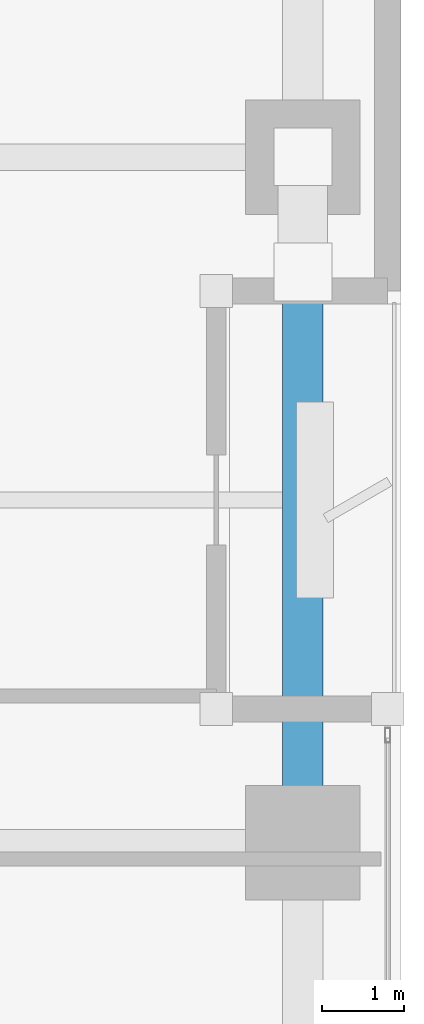
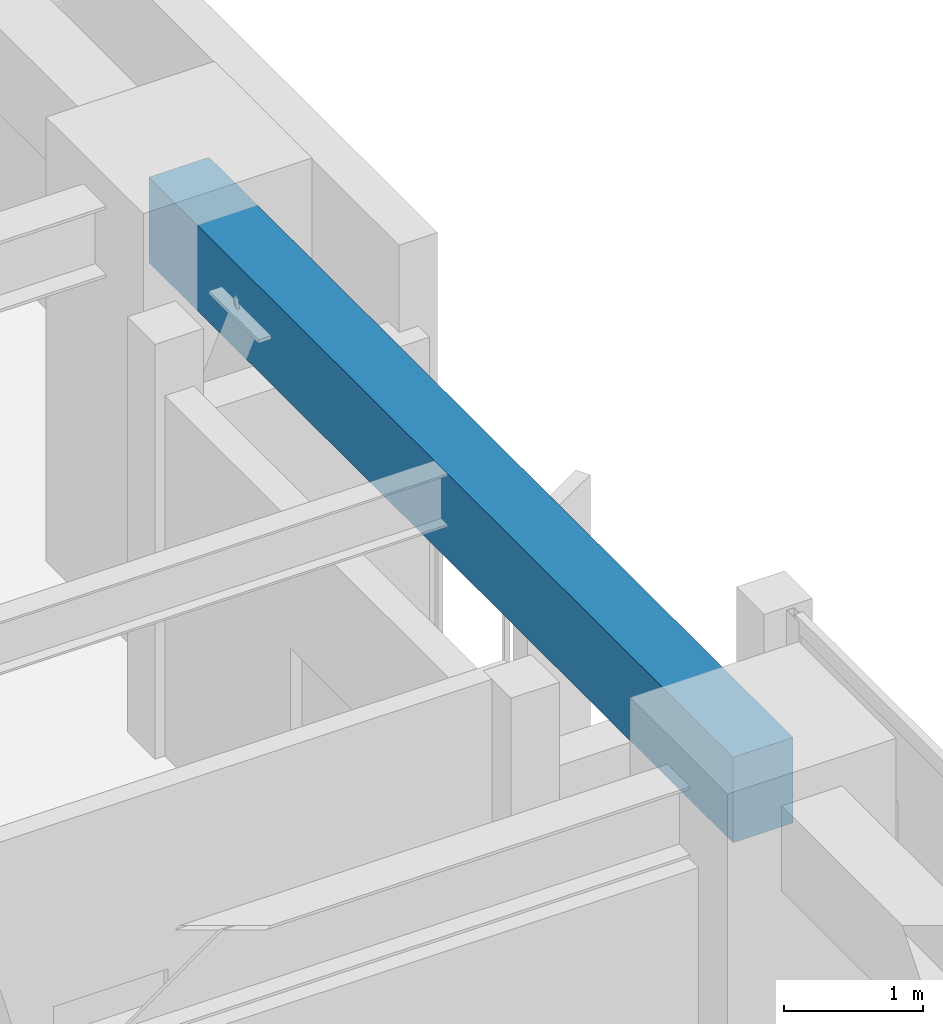
# One storey, part 7 of 24: 1 beam.
"""IFC4 building model written with IfcOpenShell, lengths in metres."""

import ifcopenshell
import ifcopenshell.guid

model = None  # the IFC model being written
_history = None  # IfcOwnerHistory: only IFC2X3 demands one
_inside = {}  # id of a spatial element -> (the spatial element, [elements in it])
_under = {}  # id of a project, library or spatial element -> (it, [spatial elements below it])
_declared = {}  # id of a project -> (the project, [libraries it declares])
_typed = {}  # id of a type object -> (the type object, [elements of that type])
_made_of = {}  # id of a material, layer set ... -> (it, [elements and type objects made of it])


def new_model(schema):
    """Start an empty IFC model of exactly this schema.

    Asked for "IFC4X3", IfcOpenShell would pick the latest addendum, in which some entities
    have other attributes; the version numbers below select the first issue.
    IFC2X3 requires an IfcOwnerHistory on every rooted entity: one is made here for all.
    """
    global model, _history
    if schema == "IFC4X3":
        model = ifcopenshell.file(schema_version=(4, 3, 0, 0))
    else:
        model = ifcopenshell.file(schema=schema)
    _inside.clear()
    _under.clear()
    _declared.clear()
    _typed.clear()
    _made_of.clear()
    _history = None
    if model.schema == "IFC2X3":
        org = make("IfcOrganization", Name="unknown")
        user = make(
            "IfcPersonAndOrganization",
            ThePerson=make("IfcPerson", FamilyName="unknown"),
            TheOrganization=org,
        )
        app = make(
            "IfcApplication",
            ApplicationDeveloper=org,
            Version="unknown",
            ApplicationFullName="unknown",
            ApplicationIdentifier="unknown",
        )
        _history = make(
            "IfcOwnerHistory",
            OwningUser=user,
            OwningApplication=app,
            ChangeAction="ADDED",
            CreationDate=0,
        )
    return model


def make(cls, **values):
    """One entity of the class cls with the attributes given. An attribute that is None is left unset."""
    return model.create_entity(
        cls, **{name: value for name, value in values.items() if value is not None}
    )


def rooted(cls, **values):
    """An entity with a GlobalId (a new one), such as an element, a storey or a relation."""
    return make(cls, GlobalId=ifcopenshell.guid.new(), OwnerHistory=_history, **values)


def si_unit(unit_type, name, prefix=None):
    """IfcSIUnit, for example si_unit("LENGTHUNIT", "METRE", prefix="MILLI")."""
    return make("IfcSIUnit", UnitType=unit_type, Prefix=prefix, Name=name)


def assignment(units):
    """IfcUnitAssignment: the units of a project."""
    return None if units is None else make("IfcUnitAssignment", Units=units)


def point(xyz):
    """IfcCartesianPoint."""
    return None if xyz is None else make("IfcCartesianPoint", Coordinates=xyz)


def direction(xyz):
    """IfcDirection."""
    return None if xyz is None else make("IfcDirection", DirectionRatios=xyz)


def frame(location, z_axis=None, x_axis=None):
    """IfcAxis2Placement3D, a coordinate frame: its origin and axes. An axis left out is left unset."""
    return make(
        "IfcAxis2Placement3D",
        Location=point(location),
        Axis=direction(z_axis),
        RefDirection=direction(x_axis),
    )


def frame_2d(location, x_axis=None):
    """IfcAxis2Placement2D, a coordinate frame in the plane: its origin and x axis."""
    return make(
        "IfcAxis2Placement2D", Location=point(location), RefDirection=direction(x_axis)
    )


def origin():
    """The frame at (0, 0, 0) with its axes left unset."""
    return frame((0.0, 0.0, 0.0))


def origin_2d():
    """The frame at (0, 0) in the plane with its x axis left unset."""
    return frame_2d((0.0, 0.0))


def place(relative_to, where):
    """IfcLocalPlacement: puts the frame where relative to a parent placement (None: the world)."""
    return make(
        "IfcLocalPlacement", PlacementRelTo=relative_to, RelativePlacement=where
    )


def context(
    kind, dimensions, precision=None, world=None, true_north=None, identifier=None
):
    """IfcGeometricRepresentationContext, for example the 3D "Model" context."""
    return make(
        "IfcGeometricRepresentationContext",
        ContextIdentifier=identifier,
        ContextType=kind,
        CoordinateSpaceDimension=dimensions,
        Precision=precision,
        WorldCoordinateSystem=world,
        TrueNorth=true_north,
    )


def subcontext(parent, identifier, kind, view, scale=None):
    """IfcGeometricRepresentationSubContext, for example "Body" below "Model"."""
    return make(
        "IfcGeometricRepresentationSubContext",
        ContextIdentifier=identifier,
        ContextType=kind,
        ParentContext=parent,
        TargetScale=scale,
        TargetView=view,
    )


def project(units=None, contexts=None):
    """IfcProject with its units and contexts."""
    return rooted(
        "IfcProject",
        Name="project",
        RepresentationContexts=contexts,
        UnitsInContext=assignment(units),
    )


def spatial(cls, under=None, at=None, **own):
    """A site, building, storey or space (cls), placed at a placement, below another one or the project."""
    s = rooted(cls, ObjectPlacement=at, **own)
    if under is not None:
        _under.setdefault(under.id(), (under, []))[1].append(s)
    return s


def profile(cls, at=None, kind="AREA", **sizes):
    """A parametric profile (cls). Its sizes go by their IFC names, for example OverallWidth=200.0."""
    return make(cls, ProfileType=kind, Position=at, **sizes)


def rectangle(**sizes):
    """IfcRectangleProfileDef."""
    return profile("IfcRectangleProfileDef", **sizes)


def extrude(swept, where, along, depth):
    """IfcExtrudedAreaSolid: the profile swept, set in the frame where, extruded along a direction by depth."""
    return make(
        "IfcExtrudedAreaSolid",
        SweptArea=swept,
        Position=where,
        ExtrudedDirection=direction(along),
        Depth=depth,
    )


def shape(context_of_items, identifier, shape_type, items):
    """IfcShapeRepresentation: the items that make up one representation, for example the "Body"."""
    return make(
        "IfcShapeRepresentation",
        ContextOfItems=context_of_items,
        RepresentationIdentifier=identifier,
        RepresentationType=shape_type,
        Items=items,
    )


def material(Name=None, Category=None):
    """IfcMaterial."""
    return make("IfcMaterial", Name=Name, Category=Category)


def material_profile(
    of_material, cross_section, Name=None, Category=None, Priority=None
):
    """IfcMaterialProfile: a cross section and its material."""
    return make(
        "IfcMaterialProfile",
        Name=Name,
        Material=of_material,
        Profile=cross_section,
        Priority=Priority,
        Category=Category,
    )


def profile_set(profiles, Name=None, composite=None):
    """IfcMaterialProfileSet."""
    return make(
        "IfcMaterialProfileSet",
        Name=Name,
        MaterialProfiles=profiles,
        CompositeProfile=composite,
    )


def made_of(thing, what):
    """Note that an element or type object is made of a material, layer set ...; save() writes the relation."""
    if what is not None:
        _made_of.setdefault(what.id(), (what, []))[1].append(thing)
    return thing


def type_object(cls, material=None, **own):
    """A type object (cls), such as IfcWallType, which elements share."""
    return made_of(rooted(cls, **own), material)


def element(
    cls,
    number,
    at=None,
    inside=None,
    cuts=None,
    type_object=None,
    material=None,
    context=None,
    identifier="Body",
    shape_type=None,
    held_by="IfcProductDefinitionShape",
    body=None,
    shapes=None,
    **own,
):
    """One element of the class cls, such as IfcWall. Its Tag is "e" and its number.

    at: its placement. inside: the storey or other place that contains it. cuts: it is an
    opening in that element (IfcRelVoidsElement). A single representation is given by context,
    identifier, shape_type and body (its items); several are given by shapes. held_by: the class
    of the entity that holds the representations. save() writes the other relations.
    """
    e = rooted(cls, Tag="e%d" % number, ObjectPlacement=at, **own)
    if body is not None:
        shapes = [shape(context, identifier, shape_type, body)]
    if shapes is not None:
        e.Representation = make(held_by, Representations=shapes)
    if inside is not None:
        _inside.setdefault(inside.id(), (inside, []))[1].append(e)
    if cuts is not None:
        rooted(
            "IfcRelVoidsElement", RelatingBuildingElement=cuts, RelatedOpeningElement=e
        )
    if type_object is not None:
        _typed.setdefault(type_object.id(), (type_object, []))[1].append(e)
    return made_of(e, material)


def aggregate(whole, parts):
    """IfcRelAggregates: a whole, such as a stair, and the parts it consists of."""
    return rooted("IfcRelAggregates", RelatingObject=whole, RelatedObjects=parts)


def save(model, path):
    """Write the relations noted so far, then the file.

    IfcRelAggregates (storeys below a building ...), IfcRelContainedInSpatialStructure (elements
    in a storey), IfcRelDefinesByType, IfcRelAssociatesMaterial and IfcRelDeclares: one each for
    every whole, place, type object, material and project.
    """
    for whole, parts in _under.values():
        aggregate(whole, parts)
    for where, things in _inside.values():
        rooted(
            "IfcRelContainedInSpatialStructure",
            RelatedElements=things,
            RelatingStructure=where,
        )
    for kind, things in _typed.values():
        rooted("IfcRelDefinesByType", RelatedObjects=things, RelatingType=kind)
    for what, things in _made_of.values():
        rooted("IfcRelAssociatesMaterial", RelatedObjects=things, RelatingMaterial=what)
    for by, libraries in _declared.values():
        rooted("IfcRelDeclares", RelatingContext=by, RelatedDefinitions=libraries)
    model.write(path)


model = new_model("IFC4")

# Units and contexts
model_context = context("Model", 3, precision=1e-05, world=origin(), true_north=direction((0.0, 1.0)))
body_context = subcontext(model_context, "Body", "Model", "MODEL_VIEW")
ifc_project = project(units=[si_unit("LENGTHUNIT", "METRE"), si_unit("AREAUNIT", "SQUARE_METRE"), si_unit("VOLUMEUNIT", "CUBIC_METRE"), si_unit("PLANEANGLEUNIT", "RADIAN"), si_unit("MASSUNIT", "GRAM", prefix="KILO")], contexts=[model_context])

# Site, building, storey
site_placement = place(None, origin())
site = spatial("IfcSite", under=ifc_project, at=site_placement, CompositionType="ELEMENT")
building_placement = place(site_placement, origin())
building = spatial("IfcBuilding", under=site, at=building_placement, Name="Kiyonajd Concourse Tower", CompositionType="ELEMENT")
storey_placement = place(building_placement, frame((0.0, 0.0, 133.800048828125)))
storey = spatial("IfcBuildingStorey", under=building, at=storey_placement, Name="L34", CompositionType="ELEMENT", Elevation=133.800048828125)

# Beam
ifc_material = material(Name="Precast concrete C50/60", Category="concrete")
ifc_material_profile = material_profile(ifc_material, rectangle(XDim=0.5, YDim=0.75, at=origin_2d()), Name="RCBM-500x750")
ifc_profile_set = profile_set([ifc_material_profile], Name="Precast concrete C50/60")
beam_type = type_object("IfcBeamType", Name="BM-SPAN-RC", PredefinedType="SPANDREL", material=ifc_profile_set)
beam_placement = place(storey_placement, frame((69.60009765625, 36.0, 3.264892578125), z_axis=(0.0, 1.0, 0.0), x_axis=(-1.0, 0.0, 0.0)))
element("IfcBeam", 1, at=beam_placement, inside=storey, type_object=beam_type, Name="L34 Perimeter Bundled Tube Spandrel", PredefinedType="SPANDREL", context=body_context, shape_type="SweptSolid", body=[
    extrude(rectangle(XDim=0.5, YDim=0.75, at=origin_2d()), origin(), (0.0, 0.0, 1.0), 8.39990234375),
])

save(model, "model.ifc")
